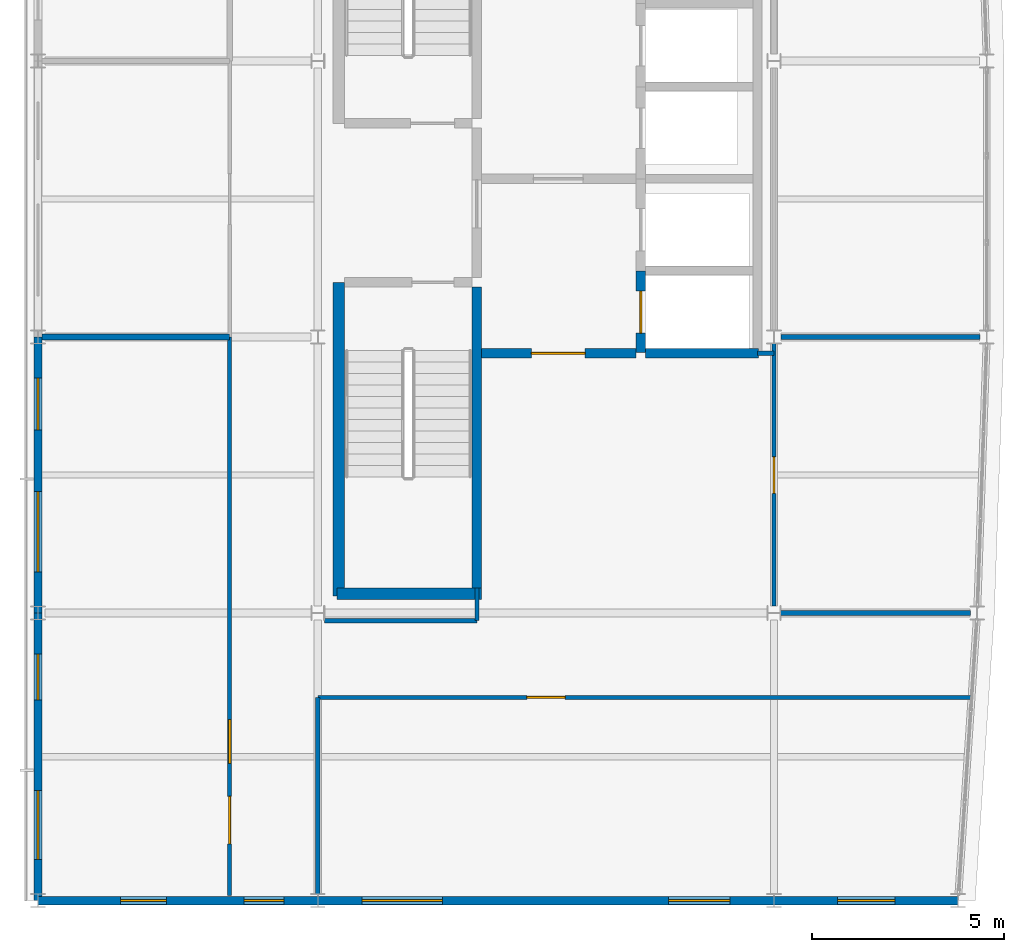
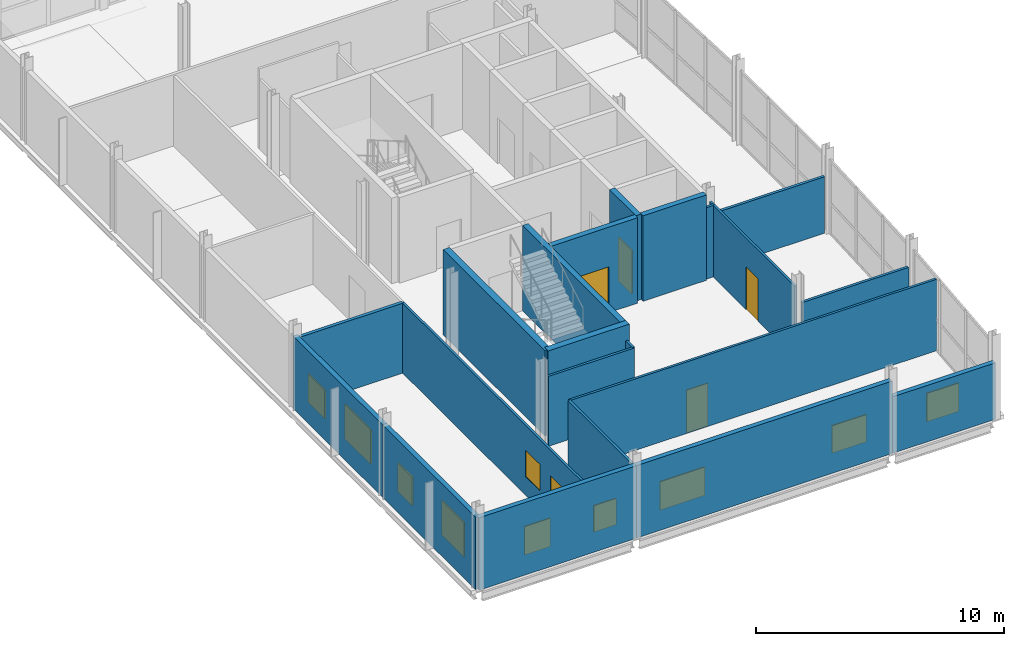
# One storey, part 11 of 17: 21 walls, 10 windows, 5 doors, 15 openings.
"""IFC4 building model written with IfcOpenShell, lengths in metres."""

from ifc_helpers import new_model, si_unit, direction, frame, frame_2d, origin, place, context, subcontext, project, spatial, rectangle, extrude, material, layer, layer_set, type_object, element, fill, save


model = new_model("IFC4")

# Units and contexts
model_context = context("Model", 3, precision=1e-05, world=origin(), true_north=direction((0.0, 1.0)))
body_context = subcontext(model_context, "Body", "Model", "MODEL_VIEW")
ifc_project = project(units=[si_unit("LENGTHUNIT", "METRE"), si_unit("AREAUNIT", "SQUARE_METRE"), si_unit("VOLUMEUNIT", "CUBIC_METRE"), si_unit("PLANEANGLEUNIT", "RADIAN"), si_unit("MASSUNIT", "GRAM", prefix="KILO")], contexts=[model_context])

# Site, building, storey
site_placement = place(None, origin())
site = spatial("IfcSite", under=ifc_project, at=site_placement, CompositionType="ELEMENT")
building_placement = place(site_placement, origin())
building = spatial("IfcBuilding", under=site, at=building_placement, Name="Quillay Park Conservatory", CompositionType="ELEMENT")
storey_placement = place(building_placement, frame((0.0, 0.0, 56.10009765625)))
storey = spatial("IfcBuildingStorey", under=building, at=storey_placement, Name="L13", CompositionType="ELEMENT", Elevation=56.10009765625)

# Wall, openings, window, door
ifc_material_1 = material(Name="Steel-Stud Acoustic Gypsum Board Partition", Category="steel")
ifc_layer_1 = layer(ifc_material_1, 0.10498046875)
ifc_layer_set_1 = layer_set([ifc_layer_1], Name="ACOUSTIC GYPSUM PARTITION 105 (Steel-Stud Acoustic Gypsum Board Partition)")
wall_type_1 = type_object("IfcWallType", Name="ACOUSTIC GYPSUM PARTITION 105", PredefinedType="PARTITIONING", material=ifc_layer_set_1)
wall_1_placement = place(storey_placement, frame((5.550048828125, 70.625, 0.0), z_axis=(0.0, 0.0, 1.0), x_axis=(0.0, 1.0, 0.0)))
wall_1 = element("IfcWall", 1, at=wall_1_placement, inside=storey, type_object=wall_type_1, Name="L13 L13 Senior Botanical Curatorial Workspace Corridor Wall", PredefinedType="PARTITIONING", context=body_context, shape_type="SweptSolid", body=[
    extrude(rectangle(XDim=14.574951171875, YDim=0.10498046875, at=frame_2d((7.28759765625, 0.0))), origin(), (0.0, 0.0, 1.0), 3.435791015625),
])
opening_1_placement = place(wall_1_placement, frame((1.35498046875, 0.0, 0.0)))
opening_1 = element("IfcOpeningElement", 2, at=opening_1_placement, cuts=wall_1, Name="Opening D-RM35", PredefinedType="OPENING", context=body_context, shape_type="SweptSolid", body=[
    extrude(rectangle(XDim=1.239990234375, YDim=2.179931640625, at=frame_2d((0.6201171875, 1.08984375))), frame((0.0, 0.052490234375, 0.0), z_axis=(0.0, -1.0, 0.0), x_axis=(1.0, 0.0, 0.0)), (0.0, 0.0, 1.0), 0.10498046875),
])
opening_2_placement = place(wall_1_placement, frame((3.445068359375, 0.0, 0.919921875)))
opening_2 = element("IfcOpeningElement", 3, at=opening_2_placement, cuts=wall_1, Name="Opening W-IN10", PredefinedType="OPENING", context=body_context, shape_type="SweptSolid", body=[
    extrude(rectangle(XDim=1.14990234375, YDim=1.300048828125, at=frame_2d((0.574951171875, 0.64990234375))), frame((0.0, 0.052490234375, 0.0), z_axis=(0.0, -1.0, 0.0), x_axis=(1.0, 0.0, 0.0)), (0.0, 0.0, 1.0), 0.10498046875),
])
ifc_material_2 = material(Name="Low-E Double Glazing (Laminated Tempered)", Category="glass")
window_type_1 = type_object("IfcWindowType", Name="OPERABLE VENT WINDOW 1150 X1300", PartitioningType="SINGLE_PANEL", PredefinedType="WINDOW", material=ifc_material_2)
window_1_placement = place(opening_2_placement, origin())
window_1 = element("IfcWindow", 4, at=window_1_placement, inside=storey, type_object=window_type_1, Name="L13 Laboratory Vision Panel 046", OverallHeight=1.300048828125, OverallWidth=1.14990234375, PartitioningType="SINGLE_PANEL", PredefinedType="WINDOW", context=body_context, shape_type="SweptSolid", body=[
    extrude(rectangle(XDim=1.14990234375, YDim=1.300048828125, at=frame_2d((0.574951171875, 0.64990234375))), frame((0.0, 0.030029296875, 0.0), z_axis=(0.0, -1.0, 0.0), x_axis=(1.0, 0.0, 0.0)), (0.0, 0.0, 1.0), 0.06005859375),
])
fill(opening_2, window_1)
ifc_material_3 = material(Name="Thermally Broken Anodised Aluminium 6063-T6", Category="aluminium")
door_type_1 = type_object("IfcDoorType", Name="SINGLE SWING DOOR 1240 X2180", OperationType="NOTDEFINED", PredefinedType="DOOR", material=ifc_material_3)
door_1_placement = place(opening_1_placement, origin())
door_1 = element("IfcDoor", 5, at=door_1_placement, inside=storey, type_object=door_type_1, Name="L13 Door to L13 Senior Botanical Curatorial Workspace", OperationType="SINGLE_SWING_LEFT", OverallHeight=2.179931640625, OverallWidth=1.239990234375, PredefinedType="DOOR", context=body_context, shape_type="SweptSolid", body=[
    extrude(rectangle(XDim=1.239990234375, YDim=2.179931640625, at=frame_2d((0.6201171875, 1.08984375))), frame((0.0, 0.02490234375, 0.0), z_axis=(0.0, -1.0, 0.0), x_axis=(1.0, 0.0, 0.0)), (0.0, 0.0, 1.0), 0.050048828125),
])
fill(opening_1, door_1)

# Wall, opening, door
wall_2_placement = place(storey_placement, frame((19.75, 78.179443359375, 0.0), z_axis=(0.0, 0.0, 1.0), x_axis=(0.0, 1.0, 0.0)))
wall_2 = element("IfcWall", 6, at=wall_2_placement, inside=storey, type_object=wall_type_1, Name="L13 L13 Forest Canopy LiDAR Processing Lab West Wall 1", PredefinedType="PARTITIONING", context=body_context, shape_type="SweptSolid", body=[
    extrude(rectangle(XDim=6.84765625, YDim=0.10498046875, at=frame_2d((3.423828125, 0.0))), origin(), (0.0, 0.0, 1.0), 3.511962890625),
])
opening_3_placement = place(wall_2_placement, frame((2.945556640625, 0.0, 0.0)))
opening_3 = element("IfcOpeningElement", 7, at=opening_3_placement, cuts=wall_2, Name="Opening D-RM02", PredefinedType="OPENING", context=body_context, shape_type="SweptSolid", body=[
    extrude(rectangle(XDim=0.949951171875, YDim=2.10009765625, at=frame_2d((0.47509765625, 1.050048828125))), frame((0.0, 0.052490234375, 0.0), z_axis=(0.0, -1.0, 0.0), x_axis=(1.0, 0.0, 0.0)), (0.0, 0.0, 1.0), 0.10498046875),
])
ifc_material_4 = material(Name="Thermally Broken Anodised Aluminium 6063-T6", Category="aluminium")
door_type_2 = type_object("IfcDoorType", Name="SINGLE SWING DOOR 950 X2100", OperationType="NOTDEFINED", PredefinedType="DOOR", material=ifc_material_4)
door_2_placement = place(opening_3_placement, origin())
door_2 = element("IfcDoor", 8, at=door_2_placement, inside=storey, type_object=door_type_2, Name="L13 Door to L13 Forest Canopy LiDAR Processing Lab", OperationType="SINGLE_SWING_RIGHT", OverallHeight=2.10009765625, OverallWidth=0.949951171875, PredefinedType="DOOR", context=body_context, shape_type="SweptSolid", body=[
    extrude(rectangle(XDim=0.949951171875, YDim=2.10009765625, at=frame_2d((0.47509765625, 1.050048828125))), frame((0.0, 0.02490234375, 0.0), z_axis=(0.0, -1.0, 0.0), x_axis=(1.0, 0.0, 0.0)), (0.0, 0.0, 1.0), 0.050048828125),
])
fill(opening_3, door_2)

# Wall
ifc_material_5 = material(Name="Steel-Stud Acoustic Gypsum Board Partition", Category="steel")
ifc_layer_2 = layer(ifc_material_5, 0.110107421875)
ifc_layer_set_2 = layer_set([ifc_layer_2], Name="ACOUSTIC GYPSUM PARTITION 110 (Steel-Stud Acoustic Gypsum Board Partition)")
wall_type_2 = type_object("IfcWallType", Name="ACOUSTIC GYPSUM PARTITION 110", PredefinedType="PARTITIONING", material=ifc_layer_set_2)
wall_3_placement = place(storey_placement, frame((12.0, 77.800048828125, 0.0), z_axis=(0.0, 0.0, 1.0), x_axis=(0.0, 1.0, 0.0)))
element("IfcWall", 9, at=wall_3_placement, inside=storey, type_object=wall_type_2, Name="L13 Core South Vestibule West Wall", PredefinedType="PARTITIONING", context=body_context, shape_type="SweptSolid", body=[
    extrude(rectangle(XDim=0.849853515625, YDim=0.110107421875, at=frame_2d((0.4248046875, 0.0))), origin(), (0.0, 0.0, 1.0), 3.435791015625),
])

# Wall, opening, door
wall_4_placement = place(storey_placement, frame((7.85009765625, 75.800048828125, 0.0), z_axis=(0.0, 0.0, 1.0), x_axis=(1.0, 0.0, 0.0)))
wall_4 = element("IfcWall", 10, at=wall_4_placement, inside=storey, type_object=wall_type_2, Name="L13 L13 Red-List Biodiversity Assessment Studio North Door Wall", PredefinedType="PARTITIONING", context=body_context, shape_type="SweptSolid", body=[
    extrude(rectangle(XDim=17.06494140625, YDim=0.110107421875, at=frame_2d((8.532470703125, 0.0))), origin(), (0.0, 0.0, 1.0), 3.511962890625),
])
opening_4_placement = place(wall_4_placement, frame((5.449951171875, 0.0, 0.0)))
opening_4 = element("IfcOpeningElement", 11, at=opening_4_placement, cuts=wall_4, Name="Opening D-RM04", PredefinedType="OPENING", context=body_context, shape_type="SweptSolid", body=[
    extrude(rectangle(XDim=1.0, YDim=2.10009765625, at=frame_2d((0.5, 1.050048828125))), frame((0.0, 0.05517578125, 0.0), z_axis=(0.0, -1.0, 0.0), x_axis=(1.0, 0.0, 0.0)), (0.0, 0.0, 1.0), 0.110107421875),
])
ifc_material_6 = material(Name="Thermally Broken Anodised Aluminium 6063-T6", Category="aluminium")
door_type_3 = type_object("IfcDoorType", Name="SINGLE SWING DOOR 1000 X2100", OperationType="NOTDEFINED", PredefinedType="DOOR", material=ifc_material_6)
door_3_placement = place(opening_4_placement, origin())
door_3 = element("IfcDoor", 12, at=door_3_placement, inside=storey, type_object=door_type_3, Name="L13 Door to L13 Red-List Biodiversity Assessment Studio", OperationType="SINGLE_SWING_RIGHT", OverallHeight=2.10009765625, OverallWidth=1.0, PredefinedType="DOOR", context=body_context, shape_type="SweptSolid", body=[
    extrude(rectangle(XDim=1.0, YDim=2.10009765625, at=frame_2d((0.5, 1.050048828125))), frame((0.0, 0.02490234375, 0.0), z_axis=(0.0, -1.0, 0.0), x_axis=(1.0, 0.0, 0.0)), (0.0, 0.0, 1.0), 0.050048828125),
])
fill(opening_4, door_3)

# Walls
ifc_material_7 = material(Name="Steel-Stud Acoustic Gypsum Board Partition", Category="steel")
ifc_layer_3 = layer(ifc_material_7, 0.114990234375)
ifc_layer_set_3 = layer_set([ifc_layer_3], Name="ACOUSTIC GYPSUM PARTITION 115 (Steel-Stud Acoustic Gypsum Board Partition)")
wall_type_3 = type_object("IfcWallType", Name="ACOUSTIC GYPSUM PARTITION 115", PredefinedType="PARTITIONING", material=ifc_layer_set_3)
wall_5_placement = place(storey_placement, frame((8.02294921875, 77.800048828125, 0.0), z_axis=(0.0, 0.0, 1.0), x_axis=(1.0, 0.0, 0.0)))
element("IfcWall", 13, at=wall_5_placement, inside=storey, type_object=wall_type_3, Name="L13 Core South-West Return", PredefinedType="PARTITIONING", context=body_context, shape_type="SweptSolid", body=[
    extrude(rectangle(XDim=3.97705078125, YDim=0.114990234375, at=frame_2d((1.988525390625, 0.0))), origin(), (0.0, 0.0, 1.0), 3.435791015625),
])
wall_6_placement = place(storey_placement, frame((7.85009765625, 70.673095703125, 0.0), z_axis=(0.0, 0.0, 1.0), x_axis=(0.0, 1.0, 0.0)))
element("IfcWall", 14, at=wall_6_placement, inside=storey, type_object=wall_type_3, Name="L13 South-Central West Wall", PredefinedType="PARTITIONING", context=body_context, shape_type="SweptSolid", body=[
    extrude(rectangle(XDim=5.126953125, YDim=0.114990234375, at=frame_2d((2.5634765625, 0.0))), origin(), (0.0, 0.0, 1.0), 3.511962890625),
])
ifc_material_8 = material(Name="Steel-Stud Acoustic Gypsum Board Partition", Category="steel")
ifc_layer_4 = layer(ifc_material_8, 0.1201171875)
ifc_layer_set_4 = layer_set([ifc_layer_4], Name="ACOUSTIC GYPSUM PARTITION 120 (Steel-Stud Acoustic Gypsum Board Partition)")
wall_type_4 = type_object("IfcWallType", Name="ACOUSTIC GYPSUM PARTITION 120", PredefinedType="PARTITIONING", material=ifc_layer_set_4)
wall_7_placement = place(storey_placement, frame((19.320068359375, 84.77490234375, 0.0), z_axis=(0.0, 0.0, 1.0), x_axis=(1.0, 0.0, 0.0)))
element("IfcWall", 15, at=wall_7_placement, inside=storey, type_object=wall_type_4, Name="L13 Core South-East Closure", PredefinedType="PARTITIONING", context=body_context, shape_type="SweptSolid", body=[
    extrude(rectangle(XDim=0.429931640625, YDim=0.1201171875, at=frame_2d((0.21484375, 0.0))), origin(), (0.0, 0.0, 1.0), 3.511962890625),
])
wall_8_placement = place(storey_placement, frame((24.87060546875, 78.0, 0.0), z_axis=(0.0, 0.0, 1.0), x_axis=(-1.0, 0.0, 0.0)))
element("IfcWall", 16, at=wall_8_placement, inside=storey, type_object=wall_type_4, Name="L13 East Strip South Wall", PredefinedType="PARTITIONING", context=body_context, shape_type="SweptSolid", body=[
    extrude(rectangle(XDim=4.947509765625, YDim=0.1201171875, at=frame_2d((2.4736328125, 0.0))), origin(), (0.0, 0.0, 1.0), 2.77490234375),
])
ifc_material_9 = material(Name="Steel-Stud Acoustic Gypsum Board Partition", Category="steel")
ifc_layer_5 = layer(ifc_material_9, 0.125)
ifc_layer_set_5 = layer_set([ifc_layer_5], Name="ACOUSTIC GYPSUM PARTITION 125 (Steel-Stud Acoustic Gypsum Board Partition)")
wall_type_5 = type_object("IfcWallType", Name="ACOUSTIC GYPSUM PARTITION 125", PredefinedType="PARTITIONING", material=ifc_layer_set_5)
wall_9_placement = place(storey_placement, frame((25.12060546875, 85.199951171875, 0.0), z_axis=(0.0, 0.0, 1.0), x_axis=(-1.0, 0.0, 0.0)))
element("IfcWall", 17, at=wall_9_placement, inside=storey, type_object=wall_type_5, Name="L13 East Divider 85", PredefinedType="PARTITIONING", context=body_context, shape_type="SweptSolid", body=[
    extrude(rectangle(XDim=5.191162109375, YDim=0.125, at=frame_2d((2.595703125, 0.0))), origin(), (0.0, 0.0, 1.0), 2.77490234375),
])
ifc_material_10 = material(Name="Steel-Stud Acoustic Gypsum Board Partition", Category="steel")
ifc_layer_6 = layer(ifc_material_10, 0.14990234375)
ifc_layer_set_6 = layer_set([ifc_layer_6], Name="ACOUSTIC GYPSUM PARTITION 150 (Steel-Stud Acoustic Gypsum Board Partition)")
wall_type_6 = type_object("IfcWallType", Name="ACOUSTIC GYPSUM PARTITION 150", PredefinedType="PARTITIONING", material=ifc_layer_set_6)
wall_10_placement = place(storey_placement, frame((0.64990234375, 85.199951171875, 0.0), z_axis=(0.0, 0.0, 1.0), x_axis=(1.0, 0.0, 0.0)))
element("IfcWall", 18, at=wall_10_placement, inside=storey, type_object=wall_type_6, Name="L13 West Divider 85", PredefinedType="PARTITIONING", context=body_context, shape_type="SweptSolid", body=[
    extrude(rectangle(XDim=4.900146484375, YDim=0.14990234375, at=frame_2d((2.4501953125, 0.0))), origin(), (0.0, 0.0, 1.0), 3.435791015625),
])
ifc_material_11 = material(Name="Concrete C40/50 (NCh170 Concrete C40/50)", Category="concrete")
ifc_layer_7 = layer(ifc_material_11, 0.25)
ifc_layer_set_7 = layer_set([ifc_layer_7], Name="CORE SHEAR WALL 250 (Concrete C40/50 (NCh170 Concrete C40/50))")
wall_type_7 = type_object("IfcWallType", Name="CORE SHEAR WALL 250", PredefinedType="SHEAR", material=ifc_layer_set_7)
wall_11_placement = place(storey_placement, frame((11.9951171875, 78.64990234375, 0.0), z_axis=(0.0, 0.0, 1.0), x_axis=(0.0, 1.0, 0.0)))
element("IfcWall", 19, at=wall_11_placement, inside=storey, type_object=wall_type_7, Name="L13 Core Shear Wall WL-T2E-L13", PredefinedType="SHEAR", context=body_context, shape_type="SweptSolid", body=[
    extrude(rectangle(XDim=7.85009765625, YDim=0.25, at=frame_2d((3.925048828125, 0.0))), origin(), (0.0, 0.0, 1.0), 4.199951171875),
])

# Wall, opening, door
wall_12_placement = place(storey_placement, frame((12.1201171875, 84.77490234375, 0.0), z_axis=(0.0, 0.0, 1.0), x_axis=(1.0, 0.0, 0.0)))
wall_12 = element("IfcWall", 20, at=wall_12_placement, inside=storey, type_object=wall_type_7, Name="L13 Core Shear Wall WL-FFS-L13", PredefinedType="SHEAR", context=body_context, shape_type="SweptSolid", body=[
    extrude(rectangle(XDim=4.02978515625, YDim=0.25, at=frame_2d((2.014892578125, 0.0))), origin(), (0.0, 0.0, 1.0), 4.199951171875),
])
opening_5_placement = place(wall_12_placement, frame((1.300048828125, 0.0, 0.0)))
opening_5 = element("IfcOpeningElement", 21, at=opening_5_placement, cuts=wall_12, Name="Opening D-LB03", PredefinedType="OPENING", context=body_context, shape_type="SweptSolid", body=[
    extrude(rectangle(XDim=1.39990234375, YDim=2.25, at=frame_2d((0.699951171875, 1.125))), frame((0.0, 0.125, 0.0), z_axis=(0.0, -1.0, 0.0), x_axis=(1.0, 0.0, 0.0)), (0.0, 0.0, 1.0), 0.25),
])
ifc_material_12 = material(Name="Steel ASTM A572 Grade 50", Category="steel")
door_type_4 = type_object("IfcDoorType", Name="FIRE RATED LOBBY DOOR 1400 X2250", OperationType="NOTDEFINED", PredefinedType="DOOR", material=ifc_material_12)
door_4_placement = place(opening_5_placement, origin())
door_4 = element("IfcDoor", 22, at=door_4_placement, inside=storey, type_object=door_type_4, Name="L13 South Core Lobby Door", OperationType="SINGLE_SWING_RIGHT", OverallHeight=2.25, OverallWidth=1.39990234375, PredefinedType="DOOR", context=body_context, shape_type="SweptSolid", body=[
    extrude(rectangle(XDim=1.39990234375, YDim=2.25, at=frame_2d((0.699951171875, 1.125))), frame((0.0, 0.02490234375, 0.0), z_axis=(0.0, -1.0, 0.0), x_axis=(1.0, 0.0, 0.0)), (0.0, 0.0, 1.0), 0.050048828125),
])
fill(opening_5, door_4)

# Wall
wall_13_placement = place(storey_placement, frame((16.39990234375, 84.77490234375, 0.0), z_axis=(0.0, 0.0, 1.0), x_axis=(1.0, 0.0, 0.0)))
element("IfcWall", 23, at=wall_13_placement, inside=storey, type_object=wall_type_7, Name="L13 Core Shear Wall WL-LFSO-L13", PredefinedType="SHEAR", context=body_context, shape_type="SweptSolid", body=[
    extrude(rectangle(XDim=2.9501953125, YDim=0.25, at=frame_2d((1.47509765625, 0.0))), origin(), (0.0, 0.0, 1.0), 4.199951171875),
])

# Wall, opening, door
wall_14_placement = place(storey_placement, frame((16.27490234375, 84.800048828125, 0.0), z_axis=(0.0, 0.0, 1.0), x_axis=(0.0, 1.0, 0.0)))
wall_14 = element("IfcWall", 24, at=wall_14_placement, inside=storey, type_object=wall_type_7, Name="L13 Core Shear Wall WL-LFFR-L13-LF-FF1", PredefinedType="SHEAR", context=body_context, shape_type="SweptSolid", body=[
    extrude(rectangle(XDim=2.125, YDim=0.25, at=frame_2d((1.0625, 0.0))), origin(), (0.0, 0.0, 1.0), 4.199951171875),
])
opening_6_placement = place(wall_14_placement, frame((0.5, 0.0, 0.0)))
opening_6 = element("IfcOpeningElement", 25, at=opening_6_placement, cuts=wall_14, Name="Opening LD01", PredefinedType="OPENING", context=body_context, shape_type="SweptSolid", body=[
    extrude(rectangle(XDim=1.10009765625, YDim=2.14990234375, at=frame_2d((0.550048828125, 1.074951171875))), frame((0.0, 0.125, 0.0), z_axis=(0.0, -1.0, 0.0), x_axis=(1.0, 0.0, 0.0)), (0.0, 0.0, 1.0), 0.25),
])
ifc_material_13 = material(Name="Steel ASTM A572 Grade 50", Category="steel")
door_type_5 = type_object("IfcDoorType", Name="LIFT LANDING SLIDING DOOR 1100 X2150", OperationType="NOTDEFINED", PredefinedType="DOOR", material=ifc_material_13)
door_5_placement = place(opening_6_placement, origin())
door_5 = element("IfcDoor", 26, at=door_5_placement, inside=storey, type_object=door_type_5, Name="L13 LF-FF1 Lift Landing Door LD01", OperationType="SLIDING_TO_LEFT", OverallHeight=2.14990234375, OverallWidth=1.10009765625, PredefinedType="DOOR", context=body_context, shape_type="SweptSolid", body=[
    extrude(rectangle(XDim=1.10009765625, YDim=2.14990234375, at=frame_2d((0.550048828125, 1.074951171875))), frame((0.0, 0.02490234375, 0.0), z_axis=(0.0, -1.0, 0.0), x_axis=(1.0, 0.0, 0.0)), (0.0, 0.0, 1.0), 0.050048828125),
])
fill(opening_6, door_5)

# Walls
ifc_material_14 = material(Name="Concrete C40/50 (NCh170 Concrete C40/50)", Category="concrete")
ifc_layer_8 = layer(ifc_material_14, 0.300048828125)
ifc_layer_set_8 = layer_set([ifc_layer_8], Name="CORE SHEAR WALL 300 (Concrete C40/50 (NCh170 Concrete C40/50))")
wall_type_8 = type_object("IfcWallType", Name="CORE SHEAR WALL 300", PredefinedType="SHEAR", material=ifc_layer_set_8)
wall_15_placement = place(storey_placement, frame((8.39990234375, 78.449951171875, 0.0), z_axis=(0.0, 0.0, 1.0), x_axis=(0.0, 1.0, 0.0)))
element("IfcWall", 27, at=wall_15_placement, inside=storey, type_object=wall_type_8, Name="L13 Core Shear Wall WL-TCW-S-L13", PredefinedType="SHEAR", context=body_context, shape_type="SweptSolid", body=[
    extrude(rectangle(XDim=8.175048828125, YDim=0.300048828125, at=frame_2d((4.08740234375, 0.0))), origin(), (0.0, 0.0, 1.0), 4.199951171875),
])
wall_16_placement = place(storey_placement, frame((8.35009765625, 78.5, 0.0), z_axis=(0.0, 0.0, 1.0), x_axis=(1.0, 0.0, 0.0)))
element("IfcWall", 28, at=wall_16_placement, inside=storey, type_object=wall_type_8, Name="L13 Core Shear Wall WL-TCS-L13", PredefinedType="SHEAR", context=body_context, shape_type="SweptSolid", body=[
    extrude(rectangle(XDim=3.77001953125, YDim=0.300048828125, at=frame_2d((1.885009765625, 0.0))), origin(), (0.0, 0.0, 1.0), 4.199951171875),
])

# Wall, openings, windows
ifc_material_15 = material(Name="Glass-Fibre Reinforced Concrete (GRC) Cladding", Category="concrete")
ifc_layer_9 = layer(ifc_material_15, 0.219970703125)
ifc_layer_set_9 = layer_set([ifc_layer_9], Name="EXTERIOR SOLID WALL 220 (Glass-Fibre Reinforced Concrete (GRC) Cladding)")
wall_type_9 = type_object("IfcWallType", Name="EXTERIOR SOLID WALL 220", PredefinedType="SOLIDWALL", material=ifc_layer_set_9)
wall_17_placement = place(storey_placement, frame((0.550048828125, 70.5, 0.0), z_axis=(0.0, 0.0, 1.0), x_axis=(0.0, 1.0, 0.0)))
wall_17 = element("IfcWall", 29, at=wall_17_placement, inside=storey, type_object=wall_type_9, Name="L13 External Wall WL-EXT-V4W-L13-0", PredefinedType="SOLIDWALL", context=body_context, shape_type="SweptSolid", body=[
    extrude(rectangle(XDim=7.5, YDim=0.219970703125, at=frame_2d((3.75, 0.0))), origin(), (0.0, 0.0, 1.0), 3.56201171875),
])
opening_7_placement = place(wall_17_placement, frame((1.070068359375, 0.0, 0.919921875)))
opening_7 = element("IfcOpeningElement", 30, at=opening_7_placement, cuts=wall_17, Name="Opening W-14", PredefinedType="OPENING", context=body_context, shape_type="SweptSolid", body=[
    extrude(rectangle(XDim=1.800048828125, YDim=1.699951171875, at=frame_2d((0.89990234375, 0.85009765625))), frame((0.0, 0.10986328125, 0.0), z_axis=(0.0, -1.0, 0.0), x_axis=(1.0, 0.0, 0.0)), (0.0, 0.0, 1.0), 0.219970703125),
])
opening_8_placement = place(wall_17_placement, frame((5.22998046875, 0.0, 0.919921875)))
opening_8 = element("IfcOpeningElement", 31, at=opening_8_placement, cuts=wall_17, Name="Opening W-01", PredefinedType="OPENING", context=body_context, shape_type="SweptSolid", body=[
    extrude(rectangle(XDim=1.199951171875, YDim=1.39990234375, at=frame_2d((0.60009765625, 0.699951171875))), frame((0.0, 0.10986328125, 0.0), z_axis=(0.0, -1.0, 0.0), x_axis=(1.0, 0.0, 0.0)), (0.0, 0.0, 1.0), 0.219970703125),
])
ifc_material_16 = material(Name="Low-E Double Glazing (Laminated Tempered)", Category="glass")
window_type_2 = type_object("IfcWindowType", Name="FIXED CASEMENT WINDOW 1200 X1400", PartitioningType="SINGLE_PANEL", PredefinedType="WINDOW", material=ifc_material_16)
window_2_placement = place(opening_8_placement, origin())
window_2 = element("IfcWindow", 32, at=window_2_placement, inside=storey, type_object=window_type_2, Name="L13 Exterior Window 0288", OverallHeight=1.39990234375, OverallWidth=1.199951171875, PartitioningType="SINGLE_PANEL", PredefinedType="WINDOW", context=body_context, shape_type="SweptSolid", body=[
    extrude(rectangle(XDim=1.199951171875, YDim=1.39990234375, at=frame_2d((0.60009765625, 0.699951171875))), frame((0.0, 0.030029296875, 0.0), z_axis=(0.0, -1.0, 0.0), x_axis=(1.0, 0.0, 0.0)), (0.0, 0.0, 1.0), 0.06005859375),
])
fill(opening_8, window_2)
ifc_material_17 = material(Name="Low-E Double Glazing (Laminated Tempered)", Category="glass")
window_type_3 = type_object("IfcWindowType", Name="FIXED CASEMENT WINDOW 1800 X1700", PartitioningType="DOUBLE_PANEL_VERTICAL", PredefinedType="WINDOW", material=ifc_material_17)
window_3_placement = place(opening_7_placement, origin())
window_3 = element("IfcWindow", 33, at=window_3_placement, inside=storey, type_object=window_type_3, Name="L13 Exterior Window 0287", OverallHeight=1.699951171875, OverallWidth=1.800048828125, PartitioningType="DOUBLE_PANEL_VERTICAL", PredefinedType="WINDOW", context=body_context, shape_type="SweptSolid", body=[
    extrude(rectangle(XDim=1.800048828125, YDim=1.699951171875, at=frame_2d((0.89990234375, 0.85009765625))), frame((0.0, 0.030029296875, 0.0), z_axis=(0.0, -1.0, 0.0), x_axis=(1.0, 0.0, 0.0)), (0.0, 0.0, 1.0), 0.06005859375),
])
fill(opening_7, window_3)

wall_18_placement = place(storey_placement, frame((0.550048828125, 78.0, 0.0), z_axis=(0.0, 0.0, 1.0), x_axis=(0.0, 1.0, 0.0)))
wall_18 = element("IfcWall", 34, at=wall_18_placement, inside=storey, type_object=wall_type_9, Name="L13 External Wall WL-EXT-V4W-L13-1", PredefinedType="SOLIDWALL", context=body_context, shape_type="SweptSolid", body=[
    extrude(rectangle(XDim=7.199951171875, YDim=0.219970703125, at=frame_2d((3.60009765625, 0.0))), origin(), (0.0, 0.0, 1.0), 3.56201171875),
])
opening_9_placement = place(wall_18_placement, frame((1.070068359375, 0.0, 0.919921875)))
opening_9 = element("IfcOpeningElement", 35, at=opening_9_placement, cuts=wall_18, Name="Opening W-15", PredefinedType="OPENING", context=body_context, shape_type="SweptSolid", body=[
    extrude(rectangle(XDim=2.10009765625, YDim=1.699951171875, at=frame_2d((1.050048828125, 0.85009765625))), frame((0.0, 0.10986328125, 0.0), z_axis=(0.0, -1.0, 0.0), x_axis=(1.0, 0.0, 0.0)), (0.0, 0.0, 1.0), 0.219970703125),
])
opening_10_placement = place(wall_18_placement, frame((4.780029296875, 0.0, 0.919921875)))
opening_10 = element("IfcOpeningElement", 36, at=opening_10_placement, cuts=wall_18, Name="Opening W-02", PredefinedType="OPENING", context=body_context, shape_type="SweptSolid", body=[
    extrude(rectangle(XDim=1.35009765625, YDim=1.39990234375, at=frame_2d((0.675048828125, 0.699951171875))), frame((0.0, 0.10986328125, 0.0), z_axis=(0.0, -1.0, 0.0), x_axis=(1.0, 0.0, 0.0)), (0.0, 0.0, 1.0), 0.219970703125),
])
ifc_material_18 = material(Name="Low-E Double Glazing (Laminated Tempered)", Category="glass")
window_type_4 = type_object("IfcWindowType", Name="FIXED CASEMENT WINDOW 1350 X1400", PartitioningType="SINGLE_PANEL", PredefinedType="WINDOW", material=ifc_material_18)
window_4_placement = place(opening_10_placement, origin())
window_4 = element("IfcWindow", 37, at=window_4_placement, inside=storey, type_object=window_type_4, Name="L13 Exterior Window 0290", OverallHeight=1.39990234375, OverallWidth=1.35009765625, PartitioningType="SINGLE_PANEL", PredefinedType="WINDOW", context=body_context, shape_type="SweptSolid", body=[
    extrude(rectangle(XDim=1.35009765625, YDim=1.39990234375, at=frame_2d((0.675048828125, 0.699951171875))), frame((0.0, 0.030029296875, 0.0), z_axis=(0.0, -1.0, 0.0), x_axis=(1.0, 0.0, 0.0)), (0.0, 0.0, 1.0), 0.06005859375),
])
fill(opening_10, window_4)
ifc_material_19 = material(Name="Low-E Double Glazing (Laminated Tempered)", Category="glass")
window_type_5 = type_object("IfcWindowType", Name="FIXED CASEMENT WINDOW 2100 X1700", PartitioningType="DOUBLE_PANEL_VERTICAL", PredefinedType="WINDOW", material=ifc_material_19)
window_5_placement = place(opening_9_placement, origin())
window_5 = element("IfcWindow", 38, at=window_5_placement, inside=storey, type_object=window_type_5, Name="L13 Exterior Window 0289", OverallHeight=1.699951171875, OverallWidth=2.10009765625, PartitioningType="DOUBLE_PANEL_VERTICAL", PredefinedType="WINDOW", context=body_context, shape_type="SweptSolid", body=[
    extrude(rectangle(XDim=2.10009765625, YDim=1.699951171875, at=frame_2d((1.050048828125, 0.85009765625))), frame((0.0, 0.030029296875, 0.0), z_axis=(0.0, -1.0, 0.0), x_axis=(1.0, 0.0, 0.0)), (0.0, 0.0, 1.0), 0.06005859375),
])
fill(opening_9, window_5)

wall_19_placement = place(storey_placement, frame((7.85009765625, 70.5, 0.0), z_axis=(0.0, 0.0, 1.0), x_axis=(-1.0, 0.0, 0.0)))
wall_19 = element("IfcWall", 39, at=wall_19_placement, inside=storey, type_object=wall_type_9, Name="L13 External Wall WL-EXT-V4S1-L13", PredefinedType="SOLIDWALL", context=body_context, shape_type="SweptSolid", body=[
    extrude(rectangle(XDim=7.300048828125, YDim=0.219970703125, at=frame_2d((3.64990234375, 0.0))), origin(), (0.0, 0.0, 1.0), 3.56201171875),
])
opening_11_placement = place(wall_19_placement, frame((0.8798828125, 0.0, 0.919921875)))
opening_11 = element("IfcOpeningElement", 40, at=opening_11_placement, cuts=wall_19, Name="Opening W-18", PredefinedType="OPENING", context=body_context, shape_type="SweptSolid", body=[
    extrude(rectangle(XDim=1.050048828125, YDim=1.300048828125, at=frame_2d((0.52490234375, 0.64990234375))), frame((0.0, 0.10986328125, 0.0), z_axis=(0.0, -1.0, 0.0), x_axis=(1.0, 0.0, 0.0)), (0.0, 0.0, 1.0), 0.219970703125),
])
opening_12_placement = place(wall_19_placement, frame((3.945068359375, 0.0, 0.919921875)))
opening_12 = element("IfcOpeningElement", 41, at=opening_12_placement, cuts=wall_19, Name="Opening W-01", PredefinedType="OPENING", context=body_context, shape_type="SweptSolid", body=[
    extrude(rectangle(XDim=1.199951171875, YDim=1.39990234375, at=frame_2d((0.60009765625, 0.699951171875))), frame((0.0, 0.10986328125, 0.0), z_axis=(0.0, -1.0, 0.0), x_axis=(1.0, 0.0, 0.0)), (0.0, 0.0, 1.0), 0.219970703125),
])
ifc_material_20 = material(Name="Low-E Double Glazing (Laminated Tempered)", Category="glass")
window_type_6 = type_object("IfcWindowType", Name="FIXED CASEMENT WINDOW 1050 X1300", PartitioningType="SINGLE_PANEL", PredefinedType="WINDOW", material=ifc_material_20)
window_6_placement = place(opening_11_placement, origin())
window_6 = element("IfcWindow", 42, at=window_6_placement, inside=storey, type_object=window_type_6, Name="L13 Exterior Window 0299", OverallHeight=1.300048828125, OverallWidth=1.050048828125, PartitioningType="SINGLE_PANEL", PredefinedType="WINDOW", context=body_context, shape_type="SweptSolid", body=[
    extrude(rectangle(XDim=1.050048828125, YDim=1.300048828125, at=frame_2d((0.52490234375, 0.64990234375))), frame((0.0, 0.030029296875, 0.0), z_axis=(0.0, -1.0, 0.0), x_axis=(1.0, 0.0, 0.0)), (0.0, 0.0, 1.0), 0.06005859375),
])
fill(opening_11, window_6)
window_7_placement = place(opening_12_placement, origin())
window_7 = element("IfcWindow", 43, at=window_7_placement, inside=storey, type_object=window_type_2, Name="L13 Exterior Window 0300", OverallHeight=1.39990234375, OverallWidth=1.199951171875, PartitioningType="SINGLE_PANEL", PredefinedType="WINDOW", context=body_context, shape_type="SweptSolid", body=[
    extrude(rectangle(XDim=1.199951171875, YDim=1.39990234375, at=frame_2d((0.60009765625, 0.699951171875))), frame((0.0, 0.030029296875, 0.0), z_axis=(0.0, -1.0, 0.0), x_axis=(1.0, 0.0, 0.0)), (0.0, 0.0, 1.0), 0.06005859375),
])
fill(opening_12, window_7)

wall_20_placement = place(storey_placement, frame((19.75, 70.5, 0.0), z_axis=(0.0, 0.0, 1.0), x_axis=(-1.0, 0.0, 0.0)))
wall_20 = element("IfcWall", 44, at=wall_20_placement, inside=storey, type_object=wall_type_9, Name="L13 External Wall WL-EXT-V4S2-L13", PredefinedType="SOLIDWALL", context=body_context, shape_type="SweptSolid", body=[
    extrude(rectangle(XDim=11.89990234375, YDim=0.219970703125, at=frame_2d((5.949951171875, 0.0))), origin(), (0.0, 0.0, 1.0), 3.56201171875),
])
opening_13_placement = place(wall_20_placement, frame((1.14990234375, 0.0, 0.919921875)))
opening_13 = element("IfcOpeningElement", 45, at=opening_13_placement, cuts=wall_20, Name="Opening W-19", PredefinedType="OPENING", context=body_context, shape_type="SweptSolid", body=[
    extrude(rectangle(XDim=1.60009765625, YDim=1.35009765625, at=frame_2d((0.800048828125, 0.675048828125))), frame((0.0, 0.10986328125, 0.0), z_axis=(0.0, -1.0, 0.0), x_axis=(1.0, 0.0, 0.0)), (0.0, 0.0, 1.0), 0.219970703125),
])
opening_14_placement = place(wall_20_placement, frame((8.64990234375, 0.0, 0.919921875)))
opening_14 = element("IfcOpeningElement", 46, at=opening_14_placement, cuts=wall_20, Name="Opening W-06", PredefinedType="OPENING", context=body_context, shape_type="SweptSolid", body=[
    extrude(rectangle(XDim=2.10009765625, YDim=1.39990234375, at=frame_2d((1.050048828125, 0.699951171875))), frame((0.0, 0.10986328125, 0.0), z_axis=(0.0, -1.0, 0.0), x_axis=(1.0, 0.0, 0.0)), (0.0, 0.0, 1.0), 0.219970703125),
])
ifc_material_21 = material(Name="Low-E Double Glazing (Laminated Tempered)", Category="glass")
window_type_7 = type_object("IfcWindowType", Name="FIXED CASEMENT WINDOW 1600 X1350", PartitioningType="DOUBLE_PANEL_VERTICAL", PredefinedType="WINDOW", material=ifc_material_21)
window_8_placement = place(opening_13_placement, origin())
window_8 = element("IfcWindow", 47, at=window_8_placement, inside=storey, type_object=window_type_7, Name="L13 Exterior Window 0301", OverallHeight=1.35009765625, OverallWidth=1.60009765625, PartitioningType="DOUBLE_PANEL_VERTICAL", PredefinedType="WINDOW", context=body_context, shape_type="SweptSolid", body=[
    extrude(rectangle(XDim=1.60009765625, YDim=1.35009765625, at=frame_2d((0.800048828125, 0.675048828125))), frame((0.0, 0.030029296875, 0.0), z_axis=(0.0, -1.0, 0.0), x_axis=(1.0, 0.0, 0.0)), (0.0, 0.0, 1.0), 0.06005859375),
])
fill(opening_13, window_8)
ifc_material_22 = material(Name="Low-E Double Glazing (Laminated Tempered)", Category="glass")
window_type_8 = type_object("IfcWindowType", Name="FIXED CASEMENT WINDOW 2100 X1400", PartitioningType="DOUBLE_PANEL_VERTICAL", PredefinedType="WINDOW", material=ifc_material_22)
window_9_placement = place(opening_14_placement, origin())
window_9 = element("IfcWindow", 48, at=window_9_placement, inside=storey, type_object=window_type_8, Name="L13 Exterior Window 0302", OverallHeight=1.39990234375, OverallWidth=2.10009765625, PartitioningType="DOUBLE_PANEL_VERTICAL", PredefinedType="WINDOW", context=body_context, shape_type="SweptSolid", body=[
    extrude(rectangle(XDim=2.10009765625, YDim=1.39990234375, at=frame_2d((1.050048828125, 0.699951171875))), frame((0.0, 0.030029296875, 0.0), z_axis=(0.0, -1.0, 0.0), x_axis=(1.0, 0.0, 0.0)), (0.0, 0.0, 1.0), 0.06005859375),
])
fill(opening_14, window_9)

# Wall, opening, window
wall_21_placement = place(storey_placement, frame((24.550048828125, 70.5, 0.0), z_axis=(0.0, 0.0, 1.0), x_axis=(-1.0, 0.0, 0.0)))
wall_21 = element("IfcWall", 49, at=wall_21_placement, inside=storey, type_object=wall_type_9, Name="L13 External Wall WL-EXT-V4S3-L13", PredefinedType="SOLIDWALL", context=body_context, shape_type="SweptSolid", body=[
    extrude(rectangle(XDim=4.800048828125, YDim=0.219970703125, at=frame_2d((2.39990234375, 0.0))), origin(), (0.0, 0.0, 1.0), 2.77490234375),
])
opening_15_placement = place(wall_21_placement, frame((1.64990234375, 0.0, 0.919921875)))
opening_15 = element("IfcOpeningElement", 50, at=opening_15_placement, cuts=wall_21, Name="Opening W-03", PredefinedType="OPENING", context=body_context, shape_type="SweptSolid", body=[
    extrude(rectangle(XDim=1.5, YDim=1.39990234375, at=frame_2d((0.75, 0.699951171875))), frame((0.0, 0.10986328125, 0.0), z_axis=(0.0, -1.0, 0.0), x_axis=(1.0, 0.0, 0.0)), (0.0, 0.0, 1.0), 0.219970703125),
])
ifc_material_23 = material(Name="Low-E Double Glazing (Laminated Tempered)", Category="glass")
window_type_9 = type_object("IfcWindowType", Name="FIXED CASEMENT WINDOW 1500 X1400", PartitioningType="SINGLE_PANEL", PredefinedType="WINDOW", material=ifc_material_23)
window_10_placement = place(opening_15_placement, origin())
window_10 = element("IfcWindow", 51, at=window_10_placement, inside=storey, type_object=window_type_9, Name="L13 Exterior Window 0303", OverallHeight=1.39990234375, OverallWidth=1.5, PartitioningType="SINGLE_PANEL", PredefinedType="WINDOW", context=body_context, shape_type="SweptSolid", body=[
    extrude(rectangle(XDim=1.5, YDim=1.39990234375, at=frame_2d((0.75, 0.699951171875))), frame((0.0, 0.030029296875, 0.0), z_axis=(0.0, -1.0, 0.0), x_axis=(1.0, 0.0, 0.0)), (0.0, 0.0, 1.0), 0.06005859375),
])
fill(opening_15, window_10)

save(model, "model.ifc")
